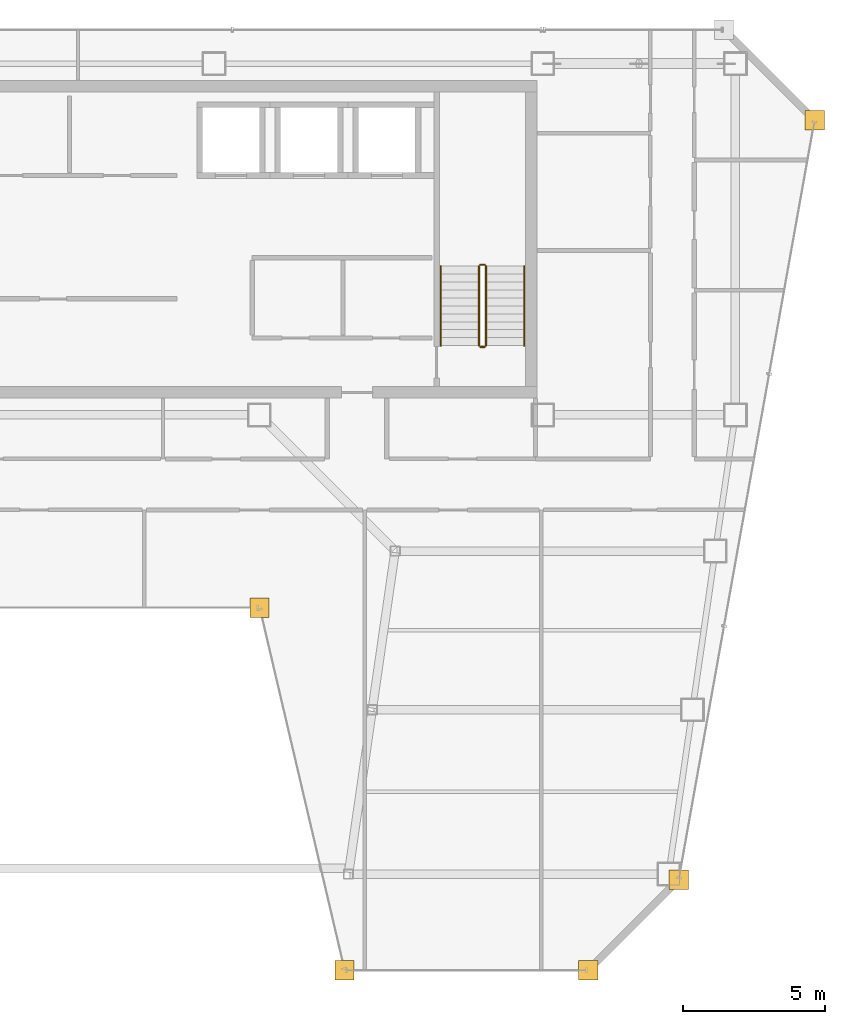
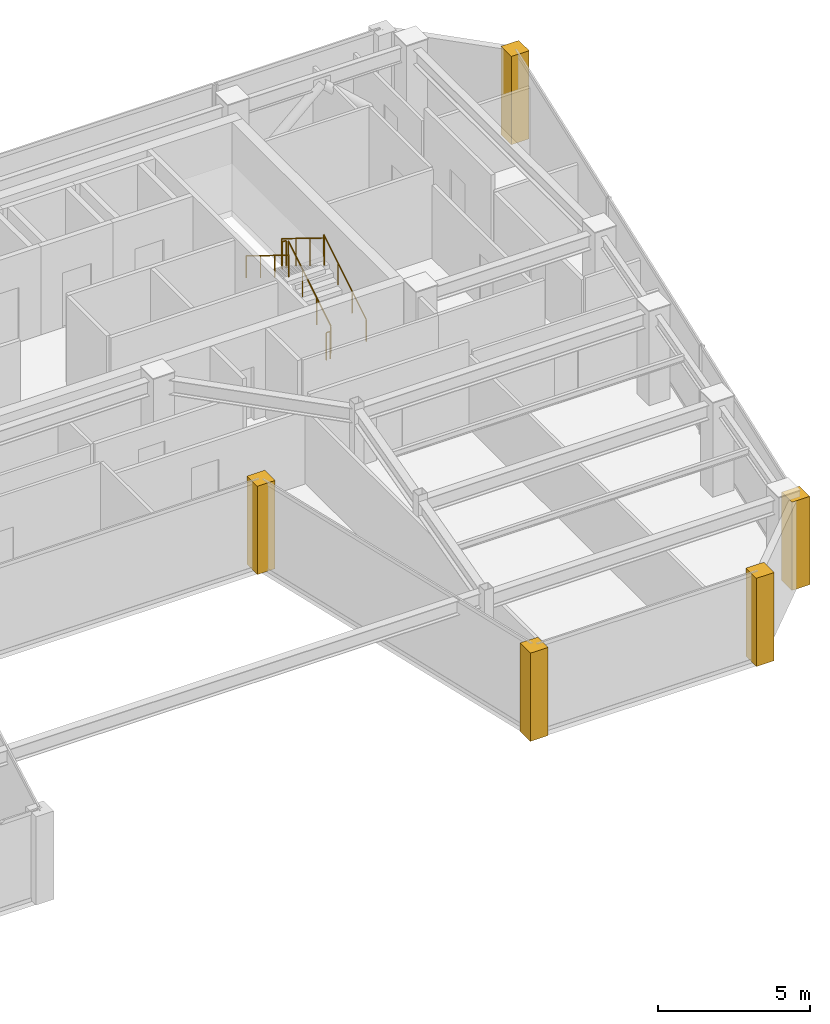
# One storey, part 31 of 32: 6 railings, 5 coverings.
"""IFC4 building model written with IfcOpenShell, lengths in metres."""

from ifc_helpers import new_model, si_unit, direction, frame, origin, origin_2d, place, context, subcontext, project, spatial, polyline, circle, outline, extrude, material, layer, layer_set, type_object, element, save


model = new_model("IFC4")

# Units and contexts
model_context = context("Model", 3, precision=1e-05, world=origin(), true_north=direction((0.0, 1.0)))
body_context = subcontext(model_context, "Body", "Model", "MODEL_VIEW")
ifc_project = project(units=[si_unit("LENGTHUNIT", "METRE"), si_unit("AREAUNIT", "SQUARE_METRE"), si_unit("VOLUMEUNIT", "CUBIC_METRE"), si_unit("PLANEANGLEUNIT", "RADIAN"), si_unit("MASSUNIT", "GRAM", prefix="KILO")], contexts=[model_context])

# Site, building, storey
site_placement = place(None, origin())
site = spatial("IfcSite", under=ifc_project, at=site_placement, CompositionType="ELEMENT")
building_placement = place(site_placement, origin())
building = spatial("IfcBuilding", under=site, at=building_placement, Name="Saevonmaru Cultural Tower", CompositionType="ELEMENT")
storey_placement = place(building_placement, frame((0.0, 0.0, 257.199951171875)))
storey = spatial("IfcBuildingStorey", under=building, at=storey_placement, Name="L60", CompositionType="ELEMENT", Elevation=257.199951171875)

# Coverings
ifc_material_1 = material(Name="Satin Bronze Anodised Aluminium", Category="aluminium")
ifc_layer = layer(ifc_material_1, 0.679931640625, Name="Satin Bronze Anodised Aluminium")
ifc_layer_set = layer_set([ifc_layer], Name="Satin Bronze Anodised Aluminium")
covering_type = type_object("IfcCoveringType", Name="CV-CORNER-CLAD", PredefinedType="CLADDING", material=ifc_layer_set)
covering_1_placement = place(storey_placement, origin())
element("IfcCovering", 1, at=covering_1_placement, inside=storey, type_object=covering_type, Name="L60 Tower Bronze Corner Cladding Pier 5", PredefinedType="CLADDING", context=body_context, shape_type="SweptSolid", body=[
    extrude(outline(polyline([(36.06396484375, 35.260009765625), (36.743896484375, 35.260009765625), (36.743896484375, 35.93994140625), (36.06396484375, 35.93994140625), (36.06396484375, 35.260009765625)])), origin(), (0.0, 0.0, 1.0), 3.550048828125),
])
covering_2_placement = place(storey_placement, origin())
element("IfcCovering", 2, at=covering_2_placement, inside=storey, type_object=covering_type, Name="L60 Tower Bronze Corner Cladding Pier 6", PredefinedType="CLADDING", context=body_context, shape_type="SweptSolid", body=[
    extrude(outline(polyline([(39.06396484375, 22.4599609375), (39.743896484375, 22.4599609375), (39.743896484375, 23.139892578125), (39.06396484375, 23.139892578125), (39.06396484375, 22.4599609375)])), origin(), (0.0, 0.0, 1.0), 3.550048828125),
])
covering_3_placement = place(storey_placement, origin())
element("IfcCovering", 3, at=covering_3_placement, inside=storey, type_object=covering_type, Name="L60 Tower Bronze Corner Cladding Pier 7", PredefinedType="CLADDING", context=body_context, shape_type="SweptSolid", body=[
    extrude(outline(polyline([(47.6640625, 22.4599609375), (48.343994140625, 22.4599609375), (48.343994140625, 23.139892578125), (47.6640625, 23.139892578125), (47.6640625, 22.4599609375)])), origin(), (0.0, 0.0, 1.0), 3.550048828125),
])
covering_4_placement = place(storey_placement, origin())
element("IfcCovering", 4, at=covering_4_placement, inside=storey, type_object=covering_type, Name="L60 Tower Bronze Corner Cladding Pier 8", PredefinedType="CLADDING", context=body_context, shape_type="SweptSolid", body=[
    extrude(outline(polyline([(50.864013671875, 25.659912109375), (51.5439453125, 25.659912109375), (51.5439453125, 26.340087890625), (50.864013671875, 26.340087890625), (50.864013671875, 25.659912109375)])), origin(), (0.0, 0.0, 1.0), 3.550048828125),
])
covering_5_placement = place(storey_placement, origin())
element("IfcCovering", 5, at=covering_5_placement, inside=storey, type_object=covering_type, Name="L60 Tower Bronze Corner Cladding Pier 9", PredefinedType="CLADDING", context=body_context, shape_type="SweptSolid", body=[
    extrude(outline(polyline([(55.659912109375, 52.4599609375), (56.340087890625, 52.4599609375), (56.340087890625, 53.139892578125), (55.659912109375, 53.139892578125), (55.659912109375, 52.4599609375)])), origin(), (0.0, 0.0, 1.0), 3.550048828125),
])

# Railings
ifc_material_2 = material(Name="Architectural Painted Steel", Category="steel")
railing_type_1 = type_object("IfcRailingType", Name="RL-STAIR-GUARD", PredefinedType="GUARDRAIL", material=ifc_material_2)
railing_1_placement = place(storey_placement, frame((44.39990234375, 44.85009765625, 0.1728515625)))
element("IfcRailing", 6, at=railing_1_placement, inside=storey, type_object=railing_type_1, Name="L60 ST-2 stair guard 1", PredefinedType="GUARDRAIL", context=body_context, shape_type="SweptSolid", body=[
    extrude(circle(Radius=0.02392578125, at=origin_2d()), frame((0.0, 0.0, 1.09619140625), z_axis=(0.0, 0.851069175582, 0.525053576669), x_axis=(-1.0, 0.0, 0.0)), (0.0, 0.0, 1.0), 3.289794921875),
    extrude(circle(Radius=0.02099609375, at=origin_2d()), origin(), (0.0, 0.0, 1.0), 1.072021484375),
    extrude(circle(Radius=0.02099609375, at=origin_2d()), frame((0.0, 0.933349609375, 0.57568359375)), (0.0, 0.0, 1.0), 1.072021484375),
    extrude(circle(Radius=0.02099609375, at=origin_2d()), frame((0.0, 1.866455078125, 1.151611328125)), (0.0, 0.0, 1.0), 1.072021484375),
    extrude(circle(Radius=0.02099609375, at=origin_2d()), frame((0.0, 2.7998046875, 1.727294921875)), (0.0, 0.0, 1.0), 1.072021484375),
])
railing_2_placement = place(storey_placement, frame((44.35009765625, 47.699951171875, 1.900146484375)))
element("IfcRailing", 7, at=railing_2_placement, inside=storey, type_object=railing_type_1, Name="L60 ST-2 stair guard 2", PredefinedType="GUARDRAIL", context=body_context, shape_type="SweptSolid", body=[
    extrude(circle(Radius=0.02392578125, at=origin_2d()), frame((0.0, 0.0, 1.09619140625), z_axis=(-1.0, 0.0, 0.0), x_axis=(0.0, -1.0, 0.0)), (0.0, 0.0, 1.0), 0.150146484375),
    extrude(circle(Radius=0.02099609375, at=origin_2d()), origin(), (0.0, 0.0, 1.0), 1.072021484375),
    extrude(circle(Radius=0.02099609375, at=origin_2d()), frame((-0.150146484375, 0.0, 0.0)), (0.0, 0.0, 1.0), 1.072021484375),
])
railing_3_placement = place(storey_placement, frame((44.14990234375, 47.64990234375, 2.07275390625)))
element("IfcRailing", 8, at=railing_3_placement, inside=storey, type_object=railing_type_1, Name="L60 ST-2 stair guard 3", PredefinedType="GUARDRAIL", context=body_context, shape_type="SweptSolid", body=[
    extrude(circle(Radius=0.02392578125, at=origin_2d()), frame((0.0, 0.0, 1.09619140625), z_axis=(0.0, -0.851069175582, 0.525053576669), x_axis=(1.0, 0.0, 0.0)), (0.0, 0.0, 1.0), 3.289794921875),
    extrude(circle(Radius=0.02099609375, at=origin_2d()), origin(), (0.0, 0.0, 1.0), 1.072021484375),
    extrude(circle(Radius=0.02099609375, at=origin_2d()), frame((0.0, -0.933349609375, 0.57568359375)), (0.0, 0.0, 1.0), 1.072021484375),
    extrude(circle(Radius=0.02099609375, at=origin_2d()), frame((0.0, -1.866455078125, 1.151611328125)), (0.0, 0.0, 1.0), 1.072021484375),
    extrude(circle(Radius=0.02099609375, at=origin_2d()), frame((0.0, -2.7998046875, 1.727294921875)), (0.0, 0.0, 1.0), 1.072021484375),
])
railing_4_placement = place(storey_placement, frame((44.35009765625, 44.800048828125, 0.0)))
element("IfcRailing", 9, at=railing_4_placement, inside=storey, type_object=railing_type_1, Name="L60 ST-2 stair guard 4", PredefinedType="GUARDRAIL", context=body_context, shape_type="SweptSolid", body=[
    extrude(circle(Radius=0.02392578125, at=origin_2d()), frame((0.0, 0.0, 1.09619140625), z_axis=(-1.0, 0.0, 0.0), x_axis=(0.0, -1.0, 0.0)), (0.0, 0.0, 1.0), 0.150146484375),
    extrude(circle(Radius=0.02099609375, at=origin_2d()), origin(), (0.0, 0.0, 1.0), 1.072021484375),
    extrude(circle(Radius=0.02099609375, at=origin_2d()), frame((-0.150146484375, 0.0, 0.0)), (0.0, 0.0, 1.0), 1.072021484375),
])
railing_type_2 = type_object("IfcRailingType", Name="RL-STAIR-HANDRAIL", PredefinedType="HANDRAIL", material=ifc_material_1)
railing_5_placement = place(storey_placement, frame((45.75, 44.85009765625, 0.1728515625)))
element("IfcRailing", 10, at=railing_5_placement, inside=storey, type_object=railing_type_2, Name="L60 ST-2 stair handrail 1", PredefinedType="HANDRAIL", context=body_context, shape_type="SweptSolid", body=[
    extrude(circle(Radius=0.02392578125, at=origin_2d()), frame((0.0, 0.0, 0.8759765625), z_axis=(0.0, 0.851069175582, 0.525053576669), x_axis=(-1.0, 0.0, 0.0)), (0.0, 0.0, 1.0), 3.289794921875),
    extrude(circle(Radius=0.02099609375, at=origin_2d()), origin(), (0.0, 0.0, 1.0), 0.851806640625),
    extrude(circle(Radius=0.02099609375, at=origin_2d()), frame((0.0, 0.933349609375, 0.57568359375)), (0.0, 0.0, 1.0), 0.851806640625),
    extrude(circle(Radius=0.02099609375, at=origin_2d()), frame((0.0, 1.866455078125, 1.151611328125)), (0.0, 0.0, 1.0), 0.851806640625),
    extrude(circle(Radius=0.02099609375, at=origin_2d()), frame((0.0, 2.7998046875, 1.727294921875)), (0.0, 0.0, 1.0), 0.851806640625),
])
railing_6_placement = place(storey_placement, frame((42.800048828125, 47.64990234375, 2.07275390625)))
element("IfcRailing", 11, at=railing_6_placement, inside=storey, type_object=railing_type_2, Name="L60 ST-2 stair handrail 2", PredefinedType="HANDRAIL", context=body_context, shape_type="SweptSolid", body=[
    extrude(circle(Radius=0.02392578125, at=origin_2d()), frame((0.0, 0.0, 0.8759765625), z_axis=(0.0, -0.851069175582, 0.525053576669), x_axis=(1.0, 0.0, 0.0)), (0.0, 0.0, 1.0), 3.289794921875),
    extrude(circle(Radius=0.02099609375, at=origin_2d()), origin(), (0.0, 0.0, 1.0), 0.851806640625),
    extrude(circle(Radius=0.02099609375, at=origin_2d()), frame((0.0, -0.933349609375, 0.57568359375)), (0.0, 0.0, 1.0), 0.851806640625),
    extrude(circle(Radius=0.02099609375, at=origin_2d()), frame((0.0, -1.866455078125, 1.151611328125)), (0.0, 0.0, 1.0), 0.851806640625),
    extrude(circle(Radius=0.02099609375, at=origin_2d()), frame((0.0, -2.7998046875, 1.727294921875)), (0.0, 0.0, 1.0), 0.851806640625),
])

save(model, "model.ifc")
